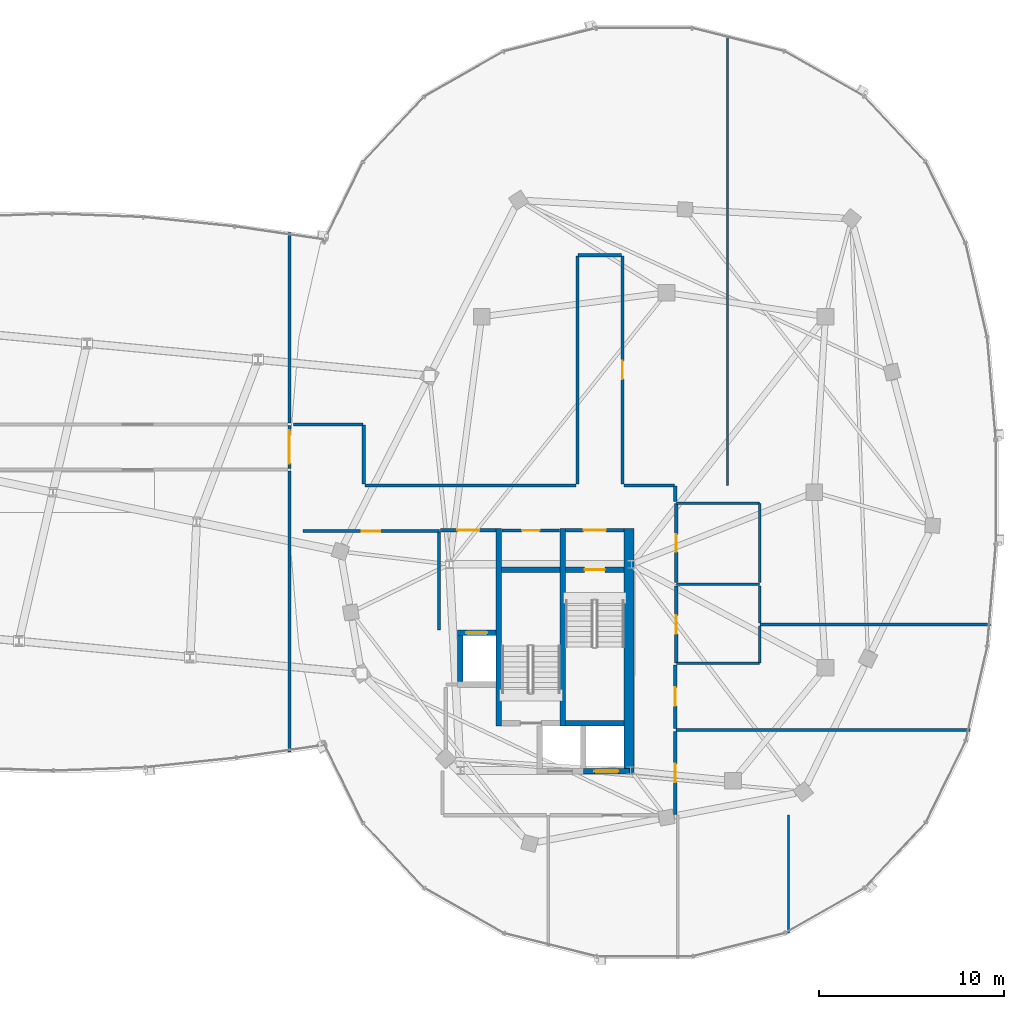
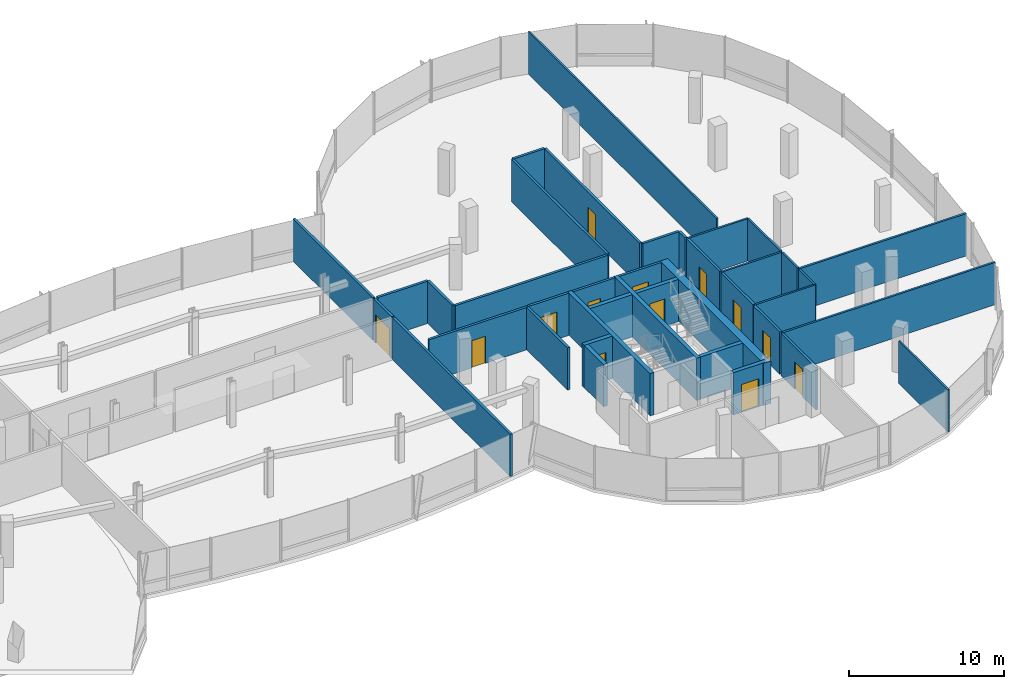
# One storey, part 16 of 25: 39 walls, 13 doors, 13 openings.
"""IFC4 building model written with IfcOpenShell, lengths in metres."""

from ifc_helpers import new_model, si_unit, direction, frame, frame_2d, origin, place, context, subcontext, project, spatial, rectangle, extrude, material, layer, layer_set, type_object, element, fill, save


model = new_model("IFC4")

# Units and contexts
model_context = context("Model", 3, precision=1e-05, world=origin(), true_north=direction((0.0, 1.0)))
body_context = subcontext(model_context, "Body", "Model", "MODEL_VIEW")
ifc_project = project(units=[si_unit("LENGTHUNIT", "METRE"), si_unit("AREAUNIT", "SQUARE_METRE"), si_unit("VOLUMEUNIT", "CUBIC_METRE"), si_unit("PLANEANGLEUNIT", "RADIAN"), si_unit("MASSUNIT", "GRAM", prefix="KILO"), si_unit("THERMODYNAMICTEMPERATUREUNIT", "KELVIN"), si_unit("POWERUNIT", "WATT")], contexts=[model_context])

# Site, building, storey
site_placement = place(None, origin())
site = spatial("IfcSite", under=ifc_project, at=site_placement, CompositionType="ELEMENT")
building_placement = place(site_placement, origin())
building = spatial("IfcBuilding", under=site, at=building_placement, Name="Cundina Bronze Exchange", CompositionType="ELEMENT")
storey_placement = place(building_placement, frame((0.0, 0.0, 239.60009765625)))
storey = spatial("IfcBuildingStorey", under=building, at=storey_placement, Name="L63", CompositionType="ELEMENT", Elevation=239.60009765625)

# Wall
ifc_material_1 = material(Name="Gypsum Fireboard Partition EI120")
ifc_layer_1 = layer(ifc_material_1, 0.179931640625, Name="Gypsum Fireboard Partition EI120")
ifc_layer_set_1 = layer_set([ifc_layer_1], Name="Gypsum Fireboard Partition EI120")
wall_type_1 = type_object("IfcWallType", Name="WL-COR-180", PredefinedType="PARTITIONING", material=ifc_layer_set_1)
wall_1_placement = place(storey_placement, frame((20.889892578125, -7.449951171875, 0.0), z_axis=(0.0, 0.0, 1.0), x_axis=(0.0, 1.0, 0.0)))
element("IfcWall", 1, at=wall_1_placement, inside=storey, type_object=wall_type_1, Name="L63 E Firefighting Lobby Side Wall", PredefinedType="PARTITIONING", context=body_context, shape_type="SweptSolid", body=[
    extrude(rectangle(XDim=5.300048828125, YDim=0.179931640625, at=frame_2d((2.64990234375, 0.0))), origin(), (0.0, 0.0, 1.0), 3.33984375),
])

# Wall, opening, door
wall_2_placement = place(storey_placement, frame((20.97998046875, -2.06005859375, 0.0), z_axis=(0.0, 0.0, 1.0), x_axis=(1.0, 0.0, 0.0)))
wall_2 = element("IfcWall", 2, at=wall_2_placement, inside=storey, type_object=wall_type_1, Name="L63 E Firefighting Lobby Exit Wall", PredefinedType="PARTITIONING", context=body_context, shape_type="SweptSolid", body=[
    extrude(rectangle(XDim=3.0, YDim=0.179931640625, at=frame_2d((1.5, 0.0))), origin(), (0.0, 0.0, 1.0), 3.33984375),
])
opening_1_placement = place(wall_2_placement, frame((0.89990234375, 0.0, 0.0)))
opening_1 = element("IfcOpeningElement", 3, at=opening_1_placement, cuts=wall_2, Name="Opening DF-01", PredefinedType="OPENING", context=body_context, shape_type="SweptSolid", body=[
    extrude(rectangle(XDim=1.199951171875, YDim=2.14990234375, at=frame_2d((0.60009765625, 1.074951171875))), frame((0.0, 0.099853515625, 0.0), z_axis=(0.0, -1.0, 0.0), x_axis=(1.0, 0.0, 0.0)), (0.0, 0.0, 1.0), 0.199951171875),
])
ifc_material_2 = material(Name="Steel ASTM A36 Painted", Category="steel")
door_type_1 = type_object("IfcDoorType", Name="DR-FFL-1200", OperationType="NOTDEFINED", PredefinedType="DOOR", material=ifc_material_2)
door_1_placement = place(opening_1_placement, origin())
door_1 = element("IfcDoor", 4, at=door_1_placement, inside=storey, type_object=door_type_1, Name="L63 E Firefighting Lobby Door", OperationType="SINGLE_SWING_LEFT", OverallHeight=2.14990234375, OverallWidth=1.199951171875, PredefinedType="DOOR", context=body_context, shape_type="SweptSolid", body=[
    extrude(rectangle(XDim=1.199951171875, YDim=2.14990234375, at=frame_2d((0.60009765625, 1.074951171875))), frame((0.0, 0.02490234375, 0.0), z_axis=(0.0, -1.0, 0.0), x_axis=(1.0, 0.0, 0.0)), (0.0, 0.0, 1.0), 0.050048828125),
])
fill(opening_1, door_1)

wall_3_placement = place(storey_placement, frame((27.739990234375, -2.06005859375, 0.0), z_axis=(0.0, 0.0, 1.0), x_axis=(1.0, 0.0, 0.0)))
wall_3 = element("IfcWall", 5, at=wall_3_placement, inside=storey, type_object=wall_type_1, Name="L63 E Stair Vestibule Exit Wall", PredefinedType="PARTITIONING", context=body_context, shape_type="SweptSolid", body=[
    extrude(rectangle(XDim=3.159912109375, YDim=0.179931640625, at=frame_2d((1.580078125, 0.0))), origin(), (0.0, 0.0, 1.0), 3.33984375),
])
opening_2_placement = place(wall_3_placement, frame((0.97998046875, 0.0, 0.0)))
opening_2 = element("IfcOpeningElement", 6, at=opening_2_placement, cuts=wall_3, Name="Opening DF-01", PredefinedType="OPENING", context=body_context, shape_type="SweptSolid", body=[
    extrude(rectangle(XDim=1.199951171875, YDim=2.14990234375, at=frame_2d((0.60009765625, 1.074951171875))), frame((0.0, 0.099853515625, 0.0), z_axis=(0.0, -1.0, 0.0), x_axis=(1.0, 0.0, 0.0)), (0.0, 0.0, 1.0), 0.199951171875),
])
door_2_placement = place(opening_2_placement, origin())
door_2 = element("IfcDoor", 7, at=door_2_placement, inside=storey, type_object=door_type_1, Name="L63 E Stair Vestibule Door", OperationType="SINGLE_SWING_RIGHT", OverallHeight=2.14990234375, OverallWidth=1.199951171875, PredefinedType="DOOR", context=body_context, shape_type="SweptSolid", body=[
    extrude(rectangle(XDim=1.199951171875, YDim=2.14990234375, at=frame_2d((0.60009765625, 1.074951171875))), frame((0.0, 0.02490234375, 0.0), z_axis=(0.0, -1.0, 0.0), x_axis=(1.0, 0.0, 0.0)), (0.0, 0.0, 1.0), 0.050048828125),
])
fill(opening_2, door_2)

wall_4_placement = place(storey_placement, frame((24.300048828125, -2.070068359375, 0.0), z_axis=(0.0, 0.0, 1.0), x_axis=(1.0, 0.0, 0.0)))
wall_4 = element("IfcWall", 8, at=wall_4_placement, inside=storey, type_object=wall_type_1, Name="L63 Interior Partition 036", PredefinedType="PARTITIONING", context=body_context, shape_type="SweptSolid", body=[
    extrude(rectangle(XDim=3.119873046875, YDim=0.179931640625, at=frame_2d((1.56005859375, 0.0))), origin(), (0.0, 0.0, 1.0), 3.33984375),
])
opening_3_placement = place(wall_4_placement, frame((1.0849609375, 0.0, 0.0)))
opening_3 = element("IfcOpeningElement", 9, at=opening_3_placement, cuts=wall_4, Name="Opening DW-01", PredefinedType="OPENING", context=body_context, shape_type="SweptSolid", body=[
    extrude(rectangle(XDim=0.949951171875, YDim=2.10009765625, at=frame_2d((0.47509765625, 1.050048828125))), frame((0.0, 0.099853515625, 0.0), z_axis=(0.0, -1.0, 0.0), x_axis=(1.0, 0.0, 0.0)), (0.0, 0.0, 1.0), 0.199951171875),
])
ifc_material_3 = material(Name="Solid Andean Oak Timber Grade A", Category="wood")
door_type_2 = type_object("IfcDoorType", Name="DR-WC-950", OperationType="NOTDEFINED", PredefinedType="DOOR", material=ifc_material_3)
door_3_placement = place(opening_3_placement, origin())
door_3 = element("IfcDoor", 10, at=door_3_placement, inside=storey, type_object=door_type_2, Name="L63 Interior Door 036", OperationType="SINGLE_SWING_RIGHT", OverallHeight=2.10009765625, OverallWidth=0.949951171875, PredefinedType="DOOR", context=body_context, shape_type="SweptSolid", body=[
    extrude(rectangle(XDim=0.949951171875, YDim=2.10009765625, at=frame_2d((0.47509765625, 1.050048828125))), frame((0.0, 0.02490234375, 0.0), z_axis=(0.0, -1.0, 0.0), x_axis=(1.0, 0.0, 0.0)), (0.0, 0.0, 1.0), 0.050048828125),
])
fill(opening_3, door_3)

wall_5_placement = place(storey_placement, frame((33.719970703125, -4.8798828125, 0.0), z_axis=(0.0, 0.0, 1.0), x_axis=(0.0, 1.0, 0.0)))
wall_5 = element("IfcWall", 11, at=wall_5_placement, inside=storey, type_object=wall_type_1, Name="L63 Interior Partition 043", PredefinedType="PARTITIONING", context=body_context, shape_type="SweptSolid", body=[
    extrude(rectangle(XDim=4.259765625, YDim=0.179931640625, at=frame_2d((2.1298828125, 0.0))), origin(), (0.0, 0.0, 1.0), 3.33984375),
])
opening_4_placement = place(wall_5_placement, frame((1.655029296875, 0.0, 0.0)))
opening_4 = element("IfcOpeningElement", 12, at=opening_4_placement, cuts=wall_5, Name="Opening DW-01", PredefinedType="OPENING", context=body_context, shape_type="SweptSolid", body=[
    extrude(rectangle(XDim=0.949951171875, YDim=2.10009765625, at=frame_2d((0.47509765625, 1.050048828125))), frame((0.0, 0.099853515625, 0.0), z_axis=(0.0, -1.0, 0.0), x_axis=(1.0, 0.0, 0.0)), (0.0, 0.0, 1.0), 0.199951171875),
])
door_4_placement = place(opening_4_placement, origin())
door_4 = element("IfcDoor", 13, at=door_4_placement, inside=storey, type_object=door_type_2, Name="L63 Interior Door 043", OperationType="SINGLE_SWING_RIGHT", OverallHeight=2.10009765625, OverallWidth=0.949951171875, PredefinedType="DOOR", context=body_context, shape_type="SweptSolid", body=[
    extrude(rectangle(XDim=0.949951171875, YDim=2.10009765625, at=frame_2d((0.47509765625, 1.050048828125))), frame((0.0, 0.02490234375, 0.0), z_axis=(0.0, -1.0, 0.0), x_axis=(1.0, 0.0, 0.0)), (0.0, 0.0, 1.0), 0.050048828125),
])
fill(opening_4, door_4)

wall_6_placement = place(storey_placement, frame((33.719970703125, -9.239990234375, 0.0), z_axis=(0.0, 0.0, 1.0), x_axis=(0.0, 1.0, 0.0)))
wall_6 = element("IfcWall", 14, at=wall_6_placement, inside=storey, type_object=wall_type_1, Name="L63 Interior Partition 044", PredefinedType="PARTITIONING", context=body_context, shape_type="SweptSolid", body=[
    extrude(rectangle(XDim=4.159912109375, YDim=0.179931640625, at=frame_2d((2.080078125, 0.0))), origin(), (0.0, 0.0, 1.0), 3.33984375),
])
opening_5_placement = place(wall_6_placement, frame((1.580078125, 0.0, 0.0)))
opening_5 = element("IfcOpeningElement", 15, at=opening_5_placement, cuts=wall_6, Name="Opening DO-01", PredefinedType="OPENING", context=body_context, shape_type="SweptSolid", body=[
    extrude(rectangle(XDim=1.0, YDim=2.14990234375, at=frame_2d((0.5, 1.074951171875))), frame((0.0, 0.099853515625, 0.0), z_axis=(0.0, -1.0, 0.0), x_axis=(1.0, 0.0, 0.0)), (0.0, 0.0, 1.0), 0.199951171875),
])
door_type_3 = type_object("IfcDoorType", Name="DR-OFF-1000", OperationType="NOTDEFINED", PredefinedType="DOOR", material=ifc_material_3)
door_5_placement = place(opening_5_placement, origin())
door_5 = element("IfcDoor", 16, at=door_5_placement, inside=storey, type_object=door_type_3, Name="L63 Interior Door 044", OperationType="SINGLE_SWING_RIGHT", OverallHeight=2.14990234375, OverallWidth=1.0, PredefinedType="DOOR", context=body_context, shape_type="SweptSolid", body=[
    extrude(rectangle(XDim=1.0, YDim=2.14990234375, at=frame_2d((0.5, 1.074951171875))), frame((0.0, 0.02490234375, 0.0), z_axis=(0.0, -1.0, 0.0), x_axis=(1.0, 0.0, 0.0)), (0.0, 0.0, 1.0), 0.050048828125),
])
fill(opening_5, door_5)

wall_7_placement = place(storey_placement, frame((33.669921875, -17.429931640625, 0.0), z_axis=(0.0, 0.0, 1.0), x_axis=(0.0, 1.0, 0.0)))
wall_7 = element("IfcWall", 17, at=wall_7_placement, inside=storey, type_object=wall_type_1, Name="L63 Interior Partition 052", PredefinedType="PARTITIONING", context=body_context, shape_type="SweptSolid", body=[
    extrude(rectangle(XDim=4.47998046875, YDim=0.179931640625, at=frame_2d((2.239990234375, 0.0))), origin(), (0.0, 0.0, 1.0), 3.33984375),
])
opening_6_placement = place(wall_7_placement, frame((1.739990234375, 0.0, 0.0)))
opening_6 = element("IfcOpeningElement", 18, at=opening_6_placement, cuts=wall_7, Name="Opening DO-01", PredefinedType="OPENING", context=body_context, shape_type="SweptSolid", body=[
    extrude(rectangle(XDim=1.0, YDim=2.14990234375, at=frame_2d((0.5, 1.074951171875))), frame((0.0, 0.099853515625, 0.0), z_axis=(0.0, -1.0, 0.0), x_axis=(1.0, 0.0, 0.0)), (0.0, 0.0, 1.0), 0.199951171875),
])
door_6_placement = place(opening_6_placement, origin())
door_6 = element("IfcDoor", 19, at=door_6_placement, inside=storey, type_object=door_type_3, Name="L63 Interior Door 052", OperationType="SINGLE_SWING_LEFT", OverallHeight=2.14990234375, OverallWidth=1.0, PredefinedType="DOOR", context=body_context, shape_type="SweptSolid", body=[
    extrude(rectangle(XDim=1.0, YDim=2.14990234375, at=frame_2d((0.5, 1.074951171875))), frame((0.0, 0.02490234375, 0.0), z_axis=(0.0, -1.0, 0.0), x_axis=(1.0, 0.0, 0.0)), (0.0, 0.0, 1.0), 0.050048828125),
])
fill(opening_6, door_6)

wall_8_placement = place(storey_placement, frame((13.521484375, -2.10009765625, 0.0), z_axis=(0.0, 0.0, 1.0), x_axis=(1.0, 0.0, 0.0)))
wall_8 = element("IfcWall", 20, at=wall_8_placement, inside=storey, type_object=wall_type_1, Name="L63 Interior Partition 053", PredefinedType="PARTITIONING", context=body_context, shape_type="SweptSolid", body=[
    extrude(rectangle(XDim=7.3984375, YDim=0.179931640625, at=frame_2d((3.69921875, 0.0))), origin(), (0.0, 0.0, 1.0), 3.33984375),
])
opening_7_placement = place(wall_8_placement, frame((3.19921875, 0.0, 0.0)))
opening_7 = element("IfcOpeningElement", 21, at=opening_7_placement, cuts=wall_8, Name="Opening DO-01", PredefinedType="OPENING", context=body_context, shape_type="SweptSolid", body=[
    extrude(rectangle(XDim=1.0, YDim=2.14990234375, at=frame_2d((0.5, 1.074951171875))), frame((0.0, 0.099853515625, 0.0), z_axis=(0.0, -1.0, 0.0), x_axis=(1.0, 0.0, 0.0)), (0.0, 0.0, 1.0), 0.199951171875),
])
door_7_placement = place(opening_7_placement, origin())
door_7 = element("IfcDoor", 22, at=door_7_placement, inside=storey, type_object=door_type_3, Name="L63 Interior Door 053", OperationType="SINGLE_SWING_LEFT", OverallHeight=2.14990234375, OverallWidth=1.0, PredefinedType="DOOR", context=body_context, shape_type="SweptSolid", body=[
    extrude(rectangle(XDim=1.0, YDim=2.14990234375, at=frame_2d((0.5, 1.074951171875))), frame((0.0, 0.02490234375, 0.0), z_axis=(0.0, -1.0, 0.0), x_axis=(1.0, 0.0, 0.0)), (0.0, 0.0, 1.0), 0.050048828125),
])
fill(opening_7, door_7)

wall_9_placement = place(storey_placement, frame((33.669921875, -12.77001953125, 0.0), z_axis=(0.0, 0.0, 1.0), x_axis=(0.0, 1.0, 0.0)))
wall_9 = element("IfcWall", 23, at=wall_9_placement, inside=storey, type_object=wall_type_1, Name="L63 Interior Partition 056", PredefinedType="PARTITIONING", context=body_context, shape_type="SweptSolid", body=[
    extrude(rectangle(XDim=3.418701171875, YDim=0.179931640625, at=frame_2d((1.70947265625, 0.0))), origin(), (0.0, 0.0, 1.0), 3.33984375),
])
opening_8_placement = place(wall_9_placement, frame((1.209228515625, 0.0, 0.0)))
opening_8 = element("IfcOpeningElement", 24, at=opening_8_placement, cuts=wall_9, Name="Opening DO-01", PredefinedType="OPENING", context=body_context, shape_type="SweptSolid", body=[
    extrude(rectangle(XDim=1.0, YDim=2.14990234375, at=frame_2d((0.5, 1.074951171875))), frame((0.0, 0.099853515625, 0.0), z_axis=(0.0, -1.0, 0.0), x_axis=(1.0, 0.0, 0.0)), (0.0, 0.0, 1.0), 0.199951171875),
])
door_8_placement = place(opening_8_placement, origin())
door_8 = element("IfcDoor", 25, at=door_8_placement, inside=storey, type_object=door_type_3, Name="L63 Interior Door 056", OperationType="SINGLE_SWING_RIGHT", OverallHeight=2.14990234375, OverallWidth=1.0, PredefinedType="DOOR", context=body_context, shape_type="SweptSolid", body=[
    extrude(rectangle(XDim=1.0, YDim=2.14990234375, at=frame_2d((0.5, 1.074951171875))), frame((0.0, 0.02490234375, 0.0), z_axis=(0.0, -1.0, 0.0), x_axis=(1.0, 0.0, 0.0)), (0.0, 0.0, 1.0), 0.050048828125),
])
fill(opening_8, door_8)

wall_10_placement = place(storey_placement, frame((30.820068359375, 0.449951171875, 0.0), z_axis=(0.0, 0.0, 1.0), x_axis=(0.0, 1.0, 0.0)))
wall_10 = element("IfcWall", 26, at=wall_10_placement, inside=storey, type_object=wall_type_1, Name="L63 Interior Partition 057", PredefinedType="PARTITIONING", context=body_context, shape_type="SweptSolid", body=[
    extrude(rectangle(XDim=12.32861328125, YDim=0.179931640625, at=frame_2d((6.164306640625, 0.0))), origin(), (0.0, 0.0, 1.0), 3.33984375),
])
opening_9_placement = place(wall_10_placement, frame((5.664306640625, 0.0, 0.0)))
opening_9 = element("IfcOpeningElement", 27, at=opening_9_placement, cuts=wall_10, Name="Opening DO-01", PredefinedType="OPENING", context=body_context, shape_type="SweptSolid", body=[
    extrude(rectangle(XDim=1.0, YDim=2.14990234375, at=frame_2d((0.5, 1.074951171875))), frame((0.0, 0.099853515625, 0.0), z_axis=(0.0, -1.0, 0.0), x_axis=(1.0, 0.0, 0.0)), (0.0, 0.0, 1.0), 0.199951171875),
])
door_9_placement = place(opening_9_placement, origin())
door_9 = element("IfcDoor", 28, at=door_9_placement, inside=storey, type_object=door_type_3, Name="L63 Interior Door 057", OperationType="SINGLE_SWING_RIGHT", OverallHeight=2.14990234375, OverallWidth=1.0, PredefinedType="DOOR", context=body_context, shape_type="SweptSolid", body=[
    extrude(rectangle(XDim=1.0, YDim=2.14990234375, at=frame_2d((0.5, 1.074951171875))), frame((0.0, 0.02490234375, 0.0), z_axis=(0.0, -1.0, 0.0), x_axis=(1.0, 0.0, 0.0)), (0.0, 0.0, 1.0), 0.050048828125),
])
fill(opening_9, door_9)

# Walls
wall_11_placement = place(storey_placement, frame((28.3798828125, 12.778564453125, 0.0), z_axis=(0.0, 0.0, 1.0), x_axis=(0.0, -1.0, 0.0)))
element("IfcWall", 29, at=wall_11_placement, inside=storey, type_object=wall_type_1, Name="L63 Interior Partition 058", PredefinedType="PARTITIONING", context=body_context, shape_type="SweptSolid", body=[
    extrude(rectangle(XDim=12.32861328125, YDim=0.179931640625, at=frame_2d((6.164306640625, 0.0))), origin(), (0.0, 0.0, 1.0), 3.33984375),
])
wall_12_placement = place(storey_placement, frame((28.300048828125, 0.3701171875, 0.0), z_axis=(0.0, 0.0, 1.0), x_axis=(-1.0, 0.0, 0.0)))
element("IfcWall", 30, at=wall_12_placement, inside=storey, type_object=wall_type_1, Name="L63 Interior Partition 059", PredefinedType="PARTITIONING", context=body_context, shape_type="SweptSolid", body=[
    extrude(rectangle(XDim=11.400146484375, YDim=0.179931640625, at=frame_2d((5.7001953125, 0.0))), origin(), (0.0, 0.0, 1.0), 3.33984375),
])
wall_13_placement = place(storey_placement, frame((16.778564453125, 3.669921875, 0.0), z_axis=(0.0, 0.0, 1.0), x_axis=(-1.0, 0.0, 0.0)))
element("IfcWall", 31, at=wall_13_placement, inside=storey, type_object=wall_type_1, Name="L63 Interior Partition 060", PredefinedType="PARTITIONING", context=body_context, shape_type="SweptSolid", body=[
    extrude(rectangle(XDim=3.7529296875, YDim=0.179931640625, at=frame_2d((1.87646484375, 0.0))), origin(), (0.0, 0.0, 1.0), 3.33984375),
])
wall_14_placement = place(storey_placement, frame((16.820068359375, 0.449951171875, 0.0), z_axis=(0.0, 0.0, 1.0), x_axis=(0.0, 1.0, 0.0)))
element("IfcWall", 32, at=wall_14_placement, inside=storey, type_object=wall_type_1, Name="L63 Interior Partition 061", PredefinedType="PARTITIONING", context=body_context, shape_type="SweptSolid", body=[
    extrude(rectangle(XDim=3.178466796875, YDim=0.179931640625, at=frame_2d((1.58935546875, 0.0))), origin(), (0.0, 0.0, 1.0), 3.33984375),
])
wall_15_placement = place(storey_placement, frame((33.62841796875, 0.3701171875, 0.0), z_axis=(0.0, 0.0, 1.0), x_axis=(-1.0, 0.0, 0.0)))
element("IfcWall", 33, at=wall_15_placement, inside=storey, type_object=wall_type_1, Name="L63 Interior Partition 062", PredefinedType="PARTITIONING", context=body_context, shape_type="SweptSolid", body=[
    extrude(rectangle(XDim=2.728515625, YDim=0.179931640625, at=frame_2d((1.3642578125, 0.0))), origin(), (0.0, 0.0, 1.0), 3.33984375),
])
wall_16_placement = place(storey_placement, frame((30.778564453125, 12.820068359375, 0.0), z_axis=(0.0, 0.0, 1.0), x_axis=(-1.0, 0.0, 0.0)))
element("IfcWall", 34, at=wall_16_placement, inside=storey, type_object=wall_type_1, Name="L63 Interior Partition 063", PredefinedType="PARTITIONING", context=body_context, shape_type="SweptSolid", body=[
    extrude(rectangle(XDim=2.357177734375, YDim=0.179931640625, at=frame_2d((1.1787109375, 0.0))), origin(), (0.0, 0.0, 1.0), 3.33984375),
])
wall_17_placement = place(storey_placement, frame((33.669921875, -0.508544921875, 0.0), z_axis=(0.0, 0.0, 1.0), x_axis=(0.0, 1.0, 0.0)))
element("IfcWall", 35, at=wall_17_placement, inside=storey, type_object=wall_type_1, Name="L63 Interior Partition 064", PredefinedType="PARTITIONING", context=body_context, shape_type="SweptSolid", body=[
    extrude(rectangle(XDim=0.837158203125, YDim=0.179931640625, at=frame_2d((0.41845703125, 0.0))), origin(), (0.0, 0.0, 1.0), 3.33984375),
])
wall_18_placement = place(storey_placement, frame((12.800048828125, -14.043701171875, 0.0), z_axis=(0.0, 0.0, 1.0), x_axis=(0.0, 1.0, 0.0)))
element("IfcWall", 36, at=wall_18_placement, inside=storey, type_object=wall_type_1, Name="L63 Interior Partition 073", PredefinedType="PARTITIONING", context=body_context, shape_type="SweptSolid", body=[
    extrude(rectangle(XDim=15.20361328125, YDim=0.179931640625, at=frame_2d((7.601806640625, 0.0))), origin(), (0.0, 0.0, 1.0), 3.33984375),
])
wall_19_placement = place(storey_placement, frame((12.800048828125, 3.739990234375, 0.0), z_axis=(0.0, 0.0, 1.0), x_axis=(0.0, 1.0, 0.0)))
element("IfcWall", 37, at=wall_19_placement, inside=storey, type_object=wall_type_1, Name="L63 Interior Partition 074", PredefinedType="PARTITIONING", context=body_context, shape_type="SweptSolid", body=[
    extrude(rectangle(XDim=10.3037109375, YDim=0.179931640625, at=frame_2d((5.15185546875, 0.0))), origin(), (0.0, 0.0, 1.0), 3.33984375),
])

# Wall, opening, door
wall_20_placement = place(storey_placement, frame((12.800048828125, 1.280029296875, 0.0), z_axis=(0.0, 0.0, 1.0), x_axis=(0.0, 1.0, 0.0)))
wall_20 = element("IfcWall", 38, at=wall_20_placement, inside=storey, type_object=wall_type_1, Name="L63 Interior Partition 075", PredefinedType="PARTITIONING", context=body_context, shape_type="SweptSolid", body=[
    extrude(rectangle(XDim=2.340087890625, YDim=0.179931640625, at=frame_2d((1.169921875, 0.0))), origin(), (0.0, 0.0, 1.0), 3.33984375),
])
opening_10_placement = place(wall_20_placement, frame((0.27001953125, 0.0, 0.0)))
opening_10 = element("IfcOpeningElement", 39, at=opening_10_placement, cuts=wall_20, Name="Opening DB-01", PredefinedType="OPENING", context=body_context, shape_type="SweptSolid", body=[
    extrude(rectangle(XDim=1.800048828125, YDim=2.25, at=frame_2d((0.89990234375, 1.125))), frame((0.0, 0.099853515625, 0.0), z_axis=(0.0, -1.0, 0.0), x_axis=(1.0, 0.0, 0.0)), (0.0, 0.0, 1.0), 0.199951171875),
])
door_type_4 = type_object("IfcDoorType", Name="DR-BRG-1800", OperationType="NOTDEFINED", PredefinedType="DOOR", material=ifc_material_2)
door_10_placement = place(opening_10_placement, origin())
door_10 = element("IfcDoor", 40, at=door_10_placement, inside=storey, type_object=door_type_4, Name="L63 Interior Door 075", OperationType="DOUBLE_DOOR_SINGLE_SWING", OverallHeight=2.25, OverallWidth=1.800048828125, PredefinedType="DOOR", context=body_context, shape_type="SweptSolid", body=[
    extrude(rectangle(XDim=1.800048828125, YDim=2.25, at=frame_2d((0.89990234375, 1.125))), frame((0.0, 0.02490234375, 0.0), z_axis=(0.0, -1.0, 0.0), x_axis=(1.0, 0.0, 0.0)), (0.0, 0.0, 1.0), 0.050048828125),
])
fill(opening_10, door_10)

# Walls
ifc_material_4 = material(Name="Concrete C50/60", Category="concrete")
ifc_layer_2 = layer(ifc_material_4, 0.550048828125, Name="Concrete C50/60", Category="concrete")
ifc_layer_set_2 = layer_set([ifc_layer_2], Name="Concrete C50/60")
wall_type_2 = type_object("IfcWallType", Name="WL-CORE-550", PredefinedType="SHEAR", material=ifc_layer_set_2)
wall_21_placement = place(storey_placement, frame((31.175048828125, -15.300048828125, 0.0), z_axis=(0.0, 0.0, 1.0), x_axis=(0.0, 1.0, 0.0)))
element("IfcWall", 41, at=wall_21_placement, inside=storey, type_object=wall_type_2, Name="L63 E Primary Core Shear Spine Wall", PredefinedType="SHEAR", context=body_context, shape_type="SweptSolid", body=[
    extrude(rectangle(XDim=13.330078125, YDim=0.550048828125, at=frame_2d((6.6650390625, 0.0))), origin(), (0.0, 0.0, 1.0), 3.33984375),
])
ifc_material_5 = material(Name="Gypsum Acoustic Partition EI60")
ifc_layer_3 = layer(ifc_material_5, 0.125, Name="Gypsum Acoustic Partition EI60")
ifc_layer_set_3 = layer_set([ifc_layer_3], Name="Gypsum Acoustic Partition EI60")
wall_type_3 = type_object("IfcWallType", Name="WL-OFF-125", PredefinedType="PARTITIONING", material=ifc_layer_set_3)
wall_22_placement = place(storey_placement, frame((36.5, 0.3701171875, 0.0), z_axis=(0.0, 0.0, 1.0), x_axis=(0.0, 1.0, 0.0)))
element("IfcWall", 42, at=wall_22_placement, inside=storey, type_object=wall_type_3, Name="L63 Interior Partition 045", PredefinedType="PARTITIONING", context=body_context, shape_type="SweptSolid", body=[
    extrude(rectangle(XDim=24.347900390625, YDim=0.125, at=frame_2d((12.173828125, 0.0))), origin(), (0.0, 0.0, 1.0), 3.33984375),
])
wall_23_placement = place(storey_placement, frame((39.800048828125, -23.8369140625, 0.0), z_axis=(0.0, 0.0, 1.0), x_axis=(0.0, 1.0, 0.0)))
element("IfcWall", 43, at=wall_23_placement, inside=storey, type_object=wall_type_3, Name="L63 Interior Partition 050", PredefinedType="PARTITIONING", context=body_context, shape_type="SweptSolid", body=[
    extrude(rectangle(XDim=6.366943359375, YDim=0.125, at=frame_2d((3.18359375, 0.0))), origin(), (0.0, 0.0, 1.0), 3.33984375),
])
ifc_layer_4 = layer(ifc_material_4, 0.300048828125, Name="Concrete C50/60", Category="concrete")
ifc_layer_set_4 = layer_set([ifc_layer_4], Name="Concrete C50/60")
wall_type_4 = type_object("IfcWallType", Name="WL-SHFT-300", PredefinedType="SHEAR", material=ifc_layer_set_4)
for number, where, z_axis, x_axis, name in (
    (44, (27.590087890625, -12.64990234375, 0.0), (0.0, 0.0, 1.0), (0.0, 1.0, 0.0), "L63 E Stair Shaft Dividing Shear Wall"),
    (45, (24.1298828125, -12.64990234375, 0.0), (0.0, 0.0, 1.0), (0.0, 1.0, 0.0), "L63 E Stair 2 East Shear Wall"),
):
    element("IfcWall", number, at=place(storey_placement, frame(where, z_axis=z_axis, x_axis=x_axis)), inside=storey, type_object=wall_type_4, Name=name, PredefinedType="SHEAR", context=body_context, shape_type="SweptSolid", body=[
        extrude(rectangle(XDim=10.679931640625, YDim=0.300048828125, at=frame_2d((5.33984375, 0.0))), origin(), (0.0, 0.0, 1.0), 3.33984375),
    ])

# Wall, opening, door
wall_24_placement = place(storey_placement, frame((27.739990234375, -4.199951171875, 0.0), z_axis=(0.0, 0.0, 1.0), x_axis=(1.0, 0.0, 0.0)))
wall_24 = element("IfcWall", 46, at=wall_24_placement, inside=storey, type_object=wall_type_4, Name="L63 Stair E1 Landing Wall", PredefinedType="SHEAR", context=body_context, shape_type="SweptSolid", body=[
    extrude(rectangle(XDim=3.159912109375, YDim=0.300048828125, at=frame_2d((1.580078125, 0.0))), origin(), (0.0, 0.0, 1.0), 3.33984375),
])
opening_11_placement = place(wall_24_placement, frame((1.030029296875, 0.0, 0.0)))
opening_11 = element("IfcOpeningElement", 47, at=opening_11_placement, cuts=wall_24, Name="Opening DS-01", PredefinedType="OPENING", context=body_context, shape_type="SweptSolid", body=[
    extrude(rectangle(XDim=1.10009765625, YDim=2.14990234375, at=frame_2d((0.550048828125, 1.074951171875))), frame((0.0, 0.159912109375, 0.0), z_axis=(0.0, -1.0, 0.0), x_axis=(1.0, 0.0, 0.0)), (0.0, 0.0, 1.0), 0.320068359375),
])
door_type_5 = type_object("IfcDoorType", Name="DR-STR-1100", OperationType="NOTDEFINED", PredefinedType="DOOR", material=ifc_material_2)
door_11_placement = place(opening_11_placement, origin())
door_11 = element("IfcDoor", 48, at=door_11_placement, inside=storey, type_object=door_type_5, Name="L63 Smokeproof Stair E1 Door", OperationType="SINGLE_SWING_LEFT", OverallHeight=2.14990234375, OverallWidth=1.10009765625, PredefinedType="DOOR", context=body_context, shape_type="SweptSolid", body=[
    extrude(rectangle(XDim=1.10009765625, YDim=2.14990234375, at=frame_2d((0.550048828125, 1.074951171875))), frame((0.0, 0.02490234375, 0.0), z_axis=(0.0, -1.0, 0.0), x_axis=(1.0, 0.0, 0.0)), (0.0, 0.0, 1.0), 0.050048828125),
])
fill(opening_11, door_11)

# Walls
for number, where, z_axis, x_axis, name in (
    (49, (27.739990234375, -12.5, 0.0), (0.0, 0.0, 1.0), (1.0, 0.0, 0.0), "L63 Stair E1 Far Shaft Wall"),
    (50, (24.280029296875, -4.199951171875, 0.0), (0.0, 0.0, 1.0), (1.0, 0.0, 0.0), "L63 Stair E2 Far Shaft Wall"),
):
    element("IfcWall", number, at=place(storey_placement, frame(where, z_axis=z_axis, x_axis=x_axis)), inside=storey, type_object=wall_type_4, Name=name, PredefinedType="SHEAR", context=body_context, shape_type="SweptSolid", body=[
        extrude(rectangle(XDim=3.159912109375, YDim=0.300048828125, at=frame_2d((1.580078125, 0.0))), origin(), (0.0, 0.0, 1.0), 3.33984375),
    ])

# Wall, opening, door
wall_25_placement = place(storey_placement, frame((21.8798828125, -7.60009765625, 0.0), z_axis=(0.0, 0.0, 1.0), x_axis=(1.0, 0.0, 0.0)))
wall_25 = element("IfcWall", 51, at=wall_25_placement, inside=storey, type_object=wall_type_4, Name="L63 FFL-E Hoistway Front Wall", PredefinedType="SHEAR", context=body_context, shape_type="SweptSolid", body=[
    extrude(rectangle(XDim=2.10009765625, YDim=0.300048828125, at=frame_2d((1.050048828125, 0.0))), origin(), (0.0, 0.0, 1.0), 3.33984375),
])
opening_12_placement = place(wall_25_placement, frame((0.47509765625, 0.0, 0.0)))
opening_12 = element("IfcOpeningElement", 52, at=opening_12_placement, cuts=wall_25, Name="Opening LD-01", PredefinedType="OPENING", context=body_context, shape_type="SweptSolid", body=[
    extrude(rectangle(XDim=1.14990234375, YDim=2.199951171875, at=frame_2d((0.574951171875, 1.10009765625))), frame((0.0, 0.159912109375, 0.0), z_axis=(0.0, -1.0, 0.0), x_axis=(1.0, 0.0, 0.0)), (0.0, 0.0, 1.0), 0.320068359375),
])
door_type_6 = type_object("IfcDoorType", Name="DR-LND-1150", OperationType="NOTDEFINED", PredefinedType="TRAPDOOR", material=ifc_material_2)
door_12_placement = place(opening_12_placement, origin())
door_12 = element("IfcDoor", 53, at=door_12_placement, inside=storey, type_object=door_type_6, Name="L63 FFL-E Sliding Landing Door", OperationType="SLIDING_TO_LEFT", OverallHeight=2.199951171875, OverallWidth=1.14990234375, PredefinedType="TRAPDOOR", context=body_context, shape_type="SweptSolid", body=[
    extrude(rectangle(XDim=1.14990234375, YDim=2.199951171875, at=frame_2d((0.574951171875, 1.10009765625))), frame((0.0, 0.02490234375, 0.0), z_axis=(0.0, -1.0, 0.0), x_axis=(1.0, 0.0, 0.0)), (0.0, 0.0, 1.0), 0.050048828125),
])
fill(opening_12, door_12)

# Wall
wall_26_placement = place(storey_placement, frame((22.030029296875, -10.25, 0.0), z_axis=(0.0, 0.0, 1.0), x_axis=(0.0, 1.0, 0.0)))
element("IfcWall", 54, at=wall_26_placement, inside=storey, type_object=wall_type_4, Name="L63 FFL-E Hoistway Side Wall", PredefinedType="SHEAR", context=body_context, shape_type="SweptSolid", body=[
    extrude(rectangle(XDim=2.5, YDim=0.300048828125, at=frame_2d((1.25, 0.0))), origin(), (0.0, 0.0, 1.0), 3.33984375),
])

# Wall, opening, door
wall_27_placement = place(storey_placement, frame((28.699951171875, -15.10009765625, 0.0), z_axis=(0.0, 0.0, 1.0), x_axis=(1.0, 0.0, 0.0)))
wall_27 = element("IfcWall", 55, at=wall_27_placement, inside=storey, type_object=wall_type_4, Name="L63 PH-E1 Hoistway Front Wall", PredefinedType="SHEAR", context=body_context, shape_type="SweptSolid", body=[
    extrude(rectangle(XDim=2.5, YDim=0.300048828125, at=frame_2d((1.25, 0.0))), origin(), (0.0, 0.0, 1.0), 3.33984375),
])
opening_13_placement = place(wall_27_placement, frame((0.60009765625, 0.0, 0.0)))
opening_13 = element("IfcOpeningElement", 56, at=opening_13_placement, cuts=wall_27, Name="Opening LD-02", PredefinedType="OPENING", context=body_context, shape_type="SweptSolid", body=[
    extrude(rectangle(XDim=1.300048828125, YDim=2.199951171875, at=frame_2d((0.64990234375, 1.10009765625))), frame((0.0, 0.159912109375, 0.0), z_axis=(0.0, -1.0, 0.0), x_axis=(1.0, 0.0, 0.0)), (0.0, 0.0, 1.0), 0.320068359375),
])
door_type_7 = type_object("IfcDoorType", Name="DR-LND-1300", OperationType="NOTDEFINED", PredefinedType="TRAPDOOR", material=ifc_material_2)
door_13_placement = place(opening_13_placement, origin())
door_13 = element("IfcDoor", 57, at=door_13_placement, inside=storey, type_object=door_type_7, Name="L63 PH-E1 Sliding Landing Door", OperationType="SLIDING_TO_LEFT", OverallHeight=2.199951171875, OverallWidth=1.300048828125, PredefinedType="TRAPDOOR", context=body_context, shape_type="SweptSolid", body=[
    extrude(rectangle(XDim=1.300048828125, YDim=2.199951171875, at=frame_2d((0.64990234375, 1.10009765625))), frame((0.0, 0.02490234375, 0.0), z_axis=(0.0, -1.0, 0.0), x_axis=(1.0, 0.0, 0.0)), (0.0, 0.0, 1.0), 0.050048828125),
])
fill(opening_13, door_13)

# Walls
ifc_layer_5 = layer(ifc_material_5, 0.14990234375, Name="Gypsum Acoustic Partition EI60")
ifc_layer_set_5 = layer_set([ifc_layer_5], Name="Gypsum Acoustic Partition EI60")
wall_type_5 = type_object("IfcWallType", Name="WL-TEN-150", PredefinedType="PARTITIONING", material=ifc_layer_set_5)
wall_28_placement = place(storey_placement, frame((38.27001953125, -7.159912109375, 0.0), z_axis=(0.0, 0.0, 1.0), x_axis=(1.0, 0.0, 0.0)))
element("IfcWall", 58, at=wall_28_placement, inside=storey, type_object=wall_type_5, Name="L63 Interior Partition 046", PredefinedType="PARTITIONING", context=body_context, shape_type="SweptSolid", body=[
    extrude(rectangle(XDim=12.466064453125, YDim=0.14990234375, at=frame_2d((6.23291015625, 0.0))), origin(), (0.0, 0.0, 1.0), 3.33984375),
])
wall_29_placement = place(storey_placement, frame((33.699951171875, -12.860107421875, 0.0), z_axis=(0.0, 0.0, 1.0), x_axis=(1.0, 0.0, 0.0)))
element("IfcWall", 59, at=wall_29_placement, inside=storey, type_object=wall_type_5, Name="L63 Interior Partition 047", PredefinedType="PARTITIONING", context=body_context, shape_type="SweptSolid", body=[
    extrude(rectangle(XDim=15.907958984375, YDim=0.14990234375, at=frame_2d((7.9541015625, 0.0))), origin(), (0.0, 0.0, 1.0), 3.33984375),
])
ifc_material_6 = material(Name="Moisture-Resistant Masonry Block Grade M15", Category="masonry")
ifc_layer_6 = layer(ifc_material_6, 0.139892578125, Name="Moisture-Resistant Masonry Block Grade M15", Category="masonry")
ifc_layer_set_6 = layer_set([ifc_layer_6], Name="Moisture-Resistant Masonry Block Grade M15")
wall_type_6 = type_object("IfcWallType", Name="WL-WET-140", PredefinedType="PARTITIONING", material=ifc_layer_set_6)
wall_30_placement = place(storey_placement, frame((38.239990234375, -9.239990234375, 0.0), z_axis=(0.0, 0.0, 1.0), x_axis=(0.0, 1.0, 0.0)))
element("IfcWall", 60, at=wall_30_placement, inside=storey, type_object=wall_type_6, Name="L63 Interior Partition 037", PredefinedType="PARTITIONING", context=body_context, shape_type="SweptSolid", body=[
    extrude(rectangle(XDim=1.994873046875, YDim=0.139892578125, at=frame_2d((0.99755859375, 0.0))), origin(), (0.0, 0.0, 1.0), 3.33984375),
])
wall_31_placement = place(storey_placement, frame((38.239990234375, -7.074951171875, 0.0), z_axis=(0.0, 0.0, 1.0), x_axis=(0.0, 1.0, 0.0)))
element("IfcWall", 61, at=wall_31_placement, inside=storey, type_object=wall_type_6, Name="L63 Interior Partition 038", PredefinedType="PARTITIONING", context=body_context, shape_type="SweptSolid", body=[
    extrude(rectangle(XDim=2.010009765625, YDim=0.139892578125, at=frame_2d((1.0048828125, 0.0))), origin(), (0.0, 0.0, 1.0), 3.33984375),
])
wall_32_placement = place(storey_placement, frame((38.239990234375, -4.89501953125, 0.0), z_axis=(0.0, 0.0, 1.0), x_axis=(0.0, 1.0, 0.0)))
element("IfcWall", 62, at=wall_32_placement, inside=storey, type_object=wall_type_6, Name="L63 Interior Partition 039", PredefinedType="PARTITIONING", context=body_context, shape_type="SweptSolid", body=[
    extrude(rectangle(XDim=4.27490234375, YDim=0.139892578125, at=frame_2d((2.137451171875, 0.0))), origin(), (0.0, 0.0, 1.0), 3.33984375),
])
for number, where, z_axis, x_axis, name in (
    (63, (33.739990234375, -0.60009765625, 0.0), (0.0, 0.0, 1.0), (1.0, 0.0, 0.0), "L63 Interior Partition 040"),
    (64, (33.739990234375, -4.97998046875, 0.0), (0.0, 0.0, 1.0), (1.0, 0.0, 0.0), "L63 Interior Partition 041"),
    (65, (33.739990234375, -9.260009765625, 0.0), (0.0, 0.0, 1.0), (1.0, 0.0, 0.0), "L63 Interior Partition 042"),
):
    element("IfcWall", number, at=place(storey_placement, frame(where, z_axis=z_axis, x_axis=x_axis)), inside=storey, type_object=wall_type_6, Name=name, PredefinedType="PARTITIONING", context=body_context, shape_type="SweptSolid", body=[
        extrude(rectangle(XDim=4.47998046875, YDim=0.139892578125, at=frame_2d((2.239990234375, 0.0))), origin(), (0.0, 0.0, 1.0), 3.33984375),
    ])

save(model, "model.ifc")
